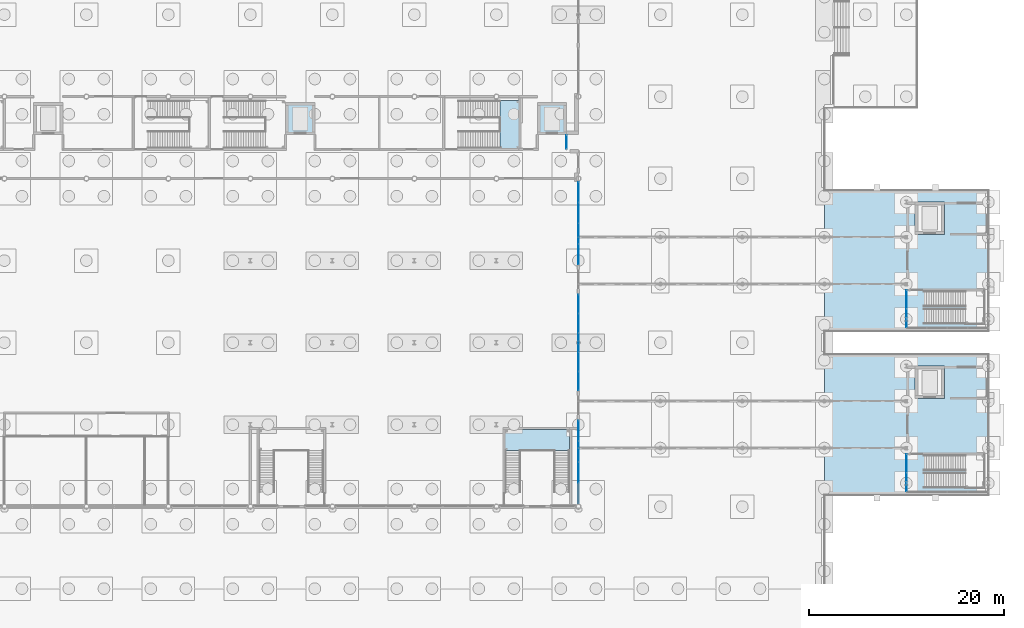
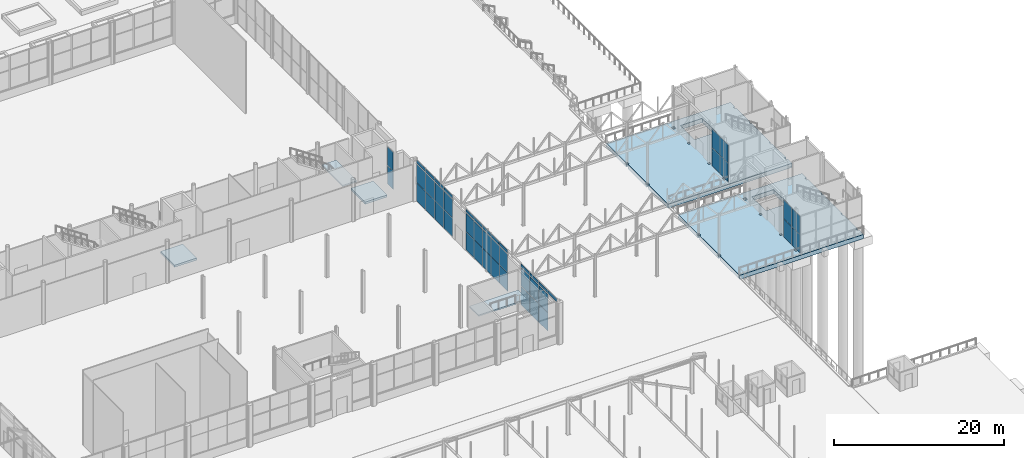
# One storey, part 174 of 212: 47 plates, 6 slabs, 11 elements without a shape of their own.
"""IFC4 building model written with IfcOpenShell, lengths in metres."""

from ifc_helpers import new_model, si_unit, direction, frame, origin, origin_2d, place, context, subcontext, project, spatial, polyline, rectangle, outline, extrude, material, layer, layer_set, type_object, element, aggregate, save


model = new_model("IFC4")

# Units and contexts
model_context = context("Model", 3, precision=1e-05, world=origin(), true_north=direction((0.0, 1.0)))
body_context = subcontext(model_context, "Body", "Model", "MODEL_VIEW")
ifc_project = project(units=[si_unit("LENGTHUNIT", "METRE"), si_unit("AREAUNIT", "SQUARE_METRE"), si_unit("VOLUMEUNIT", "CUBIC_METRE"), si_unit("PLANEANGLEUNIT", "RADIAN"), si_unit("MASSUNIT", "GRAM", prefix="KILO")], contexts=[model_context])

# Site, building, storey
site_placement = place(None, origin())
site = spatial("IfcSite", under=ifc_project, at=site_placement, CompositionType="ELEMENT")
building_placement = place(site_placement, origin())
building = spatial("IfcBuilding", under=site, at=building_placement, Name="Catenary Quay Ferry Terminal", CompositionType="ELEMENT")
storey_placement = place(building_placement, origin())
storey = spatial("IfcBuildingStorey", under=building, at=storey_placement, Name="L00", CompositionType="ELEMENT", Elevation=0.0)

# Slabs
ifc_material_1 = material(Name="Concrete C35/45", Category="concrete")
ifc_layer_1 = layer(ifc_material_1, 0.60009765625)
ifc_layer_set_1 = layer_set([ifc_layer_1], Name="Berth head slab 600")
slab_type_1 = type_object("IfcSlabType", Name="Berth head slab 600", PredefinedType="BASESLAB", material=ifc_layer_set_1)
slab_1_placement = place(storey_placement, frame((0.0, 0.0, -0.60009765625)))
element("IfcSlab", 1, at=slab_1_placement, inside=storey, type_object=slab_type_1, Name="Berth head 1 deck", PredefinedType="BASESLAB", context=body_context, shape_type="SweptSolid", body=[
    extrude(outline(polyline([(134.39990234375, 68.39990234375), (117.6298828125, 68.39990234375), (117.6298828125, 73.01220703125), (117.787841796875, 73.01220703125), (117.787841796875, 73.3876953125), (117.6298828125, 73.3876953125), (117.6298828125, 77.812255859375), (117.787841796875, 77.812255859375), (117.787841796875, 78.187744140625), (117.6298828125, 78.187744140625), (117.6298828125, 82.800048828125), (134.39990234375, 82.800048828125), (134.39990234375, 81.804931640625), (134.195068359375, 81.804931640625), (134.195068359375, 81.39501953125), (134.39990234375, 81.39501953125), (134.39990234375, 78.159912109375), (134.239990234375, 78.159912109375), (134.239990234375, 77.840087890625), (134.39990234375, 77.840087890625), (134.39990234375, 73.360107421875), (134.239990234375, 73.360107421875), (134.239990234375, 73.0400390625), (134.39990234375, 73.0400390625), (134.39990234375, 69.804931640625), (134.195068359375, 69.804931640625), (134.195068359375, 69.39501953125), (134.39990234375, 69.39501953125), (134.39990234375, 68.39990234375)]), holes=[polyline([(125.794921875, 69.804931640625), (125.794921875, 69.39501953125), (126.205078125, 69.39501953125), (126.205078125, 69.804931640625), (125.794921875, 69.804931640625)]), polyline([(126.159912109375, 73.360107421875), (125.840087890625, 73.360107421875), (125.840087890625, 73.0400390625), (126.159912109375, 73.0400390625), (126.159912109375, 73.360107421875)]), polyline([(126.159912109375, 78.159912109375), (125.840087890625, 78.159912109375), (125.840087890625, 77.840087890625), (126.159912109375, 77.840087890625), (126.159912109375, 78.159912109375)]), polyline([(126.205078125, 81.804931640625), (125.794921875, 81.804931640625), (125.794921875, 81.39501953125), (126.205078125, 81.39501953125), (126.205078125, 81.804931640625)]), polyline([(126.89990234375, 78.300048828125), (129.89990234375, 78.300048828125), (129.89990234375, 81.60009765625), (126.89990234375, 81.60009765625), (126.89990234375, 78.300048828125)])]), origin(), (0.0, 0.0, 1.0), 0.60009765625),
])
slab_2_placement = place(storey_placement, frame((0.0, 0.0, -0.60009765625)))
element("IfcSlab", 2, at=slab_2_placement, inside=storey, type_object=slab_type_1, Name="Berth head 2 deck", PredefinedType="BASESLAB", context=body_context, shape_type="SweptSolid", body=[
    extrude(outline(polyline([(134.39990234375, 85.199951171875), (117.6298828125, 85.199951171875), (117.6298828125, 89.812255859375), (117.787841796875, 89.812255859375), (117.787841796875, 90.187744140625), (117.6298828125, 90.187744140625), (117.6298828125, 94.6123046875), (117.787841796875, 94.6123046875), (117.787841796875, 94.98779296875), (117.6298828125, 94.98779296875), (117.6298828125, 99.60009765625), (134.39990234375, 99.60009765625), (134.39990234375, 98.60498046875), (134.195068359375, 98.60498046875), (134.195068359375, 98.195068359375), (134.39990234375, 98.195068359375), (134.39990234375, 94.9599609375), (134.239990234375, 94.9599609375), (134.239990234375, 94.639892578125), (134.39990234375, 94.639892578125), (134.39990234375, 90.159912109375), (134.239990234375, 90.159912109375), (134.239990234375, 89.840087890625), (134.39990234375, 89.840087890625), (134.39990234375, 86.60498046875), (134.195068359375, 86.60498046875), (134.195068359375, 86.195068359375), (134.39990234375, 86.195068359375), (134.39990234375, 85.199951171875)]), holes=[polyline([(125.794921875, 86.60498046875), (125.794921875, 86.195068359375), (126.205078125, 86.195068359375), (126.205078125, 86.60498046875), (125.794921875, 86.60498046875)]), polyline([(126.159912109375, 90.159912109375), (125.840087890625, 90.159912109375), (125.840087890625, 89.840087890625), (126.159912109375, 89.840087890625), (126.159912109375, 90.159912109375)]), polyline([(125.840087890625, 94.9599609375), (125.840087890625, 94.639892578125), (126.159912109375, 94.639892578125), (126.159912109375, 94.9599609375), (125.840087890625, 94.9599609375)]), polyline([(126.205078125, 98.60498046875), (125.794921875, 98.60498046875), (125.794921875, 98.195068359375), (126.205078125, 98.195068359375), (126.205078125, 98.60498046875)]), polyline([(126.89990234375, 95.10009765625), (129.89990234375, 95.10009765625), (129.89990234375, 98.39990234375), (126.89990234375, 98.39990234375), (126.89990234375, 95.10009765625)])]), origin(), (0.0, 0.0, 1.0), 0.60009765625),
])
ifc_material_2 = material(Name="Concrete C35/45", Category="concrete")
ifc_layer_2 = layer(ifc_material_2, 0.300048828125)
ifc_layer_set_2 = layer_set([ifc_layer_2], Name="Lift pit floor 300")
slab_type_2 = type_object("IfcSlabType", Name="Lift pit floor 300", PredefinedType="BASESLAB", material=ifc_layer_set_2)
slab_3_placement = place(storey_placement, frame((0.0, 0.0, -1.89990234375)))
element("IfcSlab", 3, at=slab_3_placement, inside=storey, type_object=slab_type_2, Name="Lift pit floor TL2", PredefinedType="BASESLAB", context=body_context, shape_type="SweptSolid", body=[
    extrude(outline(polyline([(65.39990234375, 105.300048828125), (65.39990234375, 108.60009765625), (62.39990234375, 108.60009765625), (62.39990234375, 105.300048828125), (65.39990234375, 105.300048828125)])), origin(), (0.0, 0.0, 1.0), 0.2998046875),
])
slab_4_placement = place(storey_placement, frame((0.0, 0.0, -1.89990234375)))
element("IfcSlab", 4, at=slab_4_placement, inside=storey, type_object=slab_type_2, Name="Lift pit floor TL3", PredefinedType="BASESLAB", context=body_context, shape_type="SweptSolid", body=[
    extrude(outline(polyline([(91.199951171875, 105.300048828125), (91.199951171875, 108.60009765625), (88.199951171875, 108.60009765625), (88.199951171875, 105.300048828125), (91.199951171875, 105.300048828125)])), origin(), (0.0, 0.0, 1.0), 0.2998046875),
])

# Curtain wall, plates
ifc_material_3 = material(Name="Aluminium and glass", Category="aluminium")
curtain_wall_type_1 = type_object("IfcCurtainWallType", Name="CWG", PredefinedType="NOTDEFINED", material=ifc_material_3)
curtain_wall_1_placement = place(storey_placement, origin())
curtain_wall_1 = element("IfcCurtainWall", 5, at=curtain_wall_1_placement, inside=storey, type_object=curtain_wall_type_1, Name="Gable arrivals hall curtain wall CW6", PredefinedType="NOTDEFINED")
ifc_material_4 = material(Name="Glass", Category="glass")
ifc_layer_3 = layer(ifc_material_4, 0.031982421875)
ifc_layer_set_3 = layer_set([ifc_layer_3], Name="PN1")
plate_type_1 = type_object("IfcPlateType", Name="PN1", PredefinedType="CURTAIN_PANEL", material=ifc_layer_set_3)
plate_1_placement = place(storey_placement, frame((92.39990234375, 70.706298828125, 0.06005859375), z_axis=(0.0, 0.0, 1.0), x_axis=(0.0, 1.0, 0.0)))
plate_1 = element("IfcPlate", 6, at=plate_1_placement, type_object=plate_type_1, Name="CW6 panel 2.1", PredefinedType="CURTAIN_PANEL", context=body_context, shape_type="SweptSolid", body=[
    extrude(rectangle(XDim=2.077392578125, YDim=0.031982421875, at=origin_2d()), origin(), (0.0, 0.0, 1.0), 2.610107421875),
])
plate_2_placement = place(storey_placement, frame((92.39990234375, 70.706298828125, 2.72998046875), z_axis=(0.0, 0.0, 1.0), x_axis=(0.0, 1.0, 0.0)))
plate_2 = element("IfcPlate", 7, at=plate_2_placement, type_object=plate_type_1, Name="CW6 panel 2.2", PredefinedType="CURTAIN_PANEL", context=body_context, shape_type="SweptSolid", body=[
    extrude(rectangle(XDim=2.077392578125, YDim=0.031982421875, at=origin_2d()), origin(), (0.0, 0.0, 1.0), 2.610107421875),
])
plate_3_placement = place(storey_placement, frame((92.39990234375, 72.84375, 0.06005859375), z_axis=(0.0, 0.0, 1.0), x_axis=(0.0, 1.0, 0.0)))
plate_3 = element("IfcPlate", 8, at=plate_3_placement, type_object=plate_type_1, Name="CW6 panel 3.1", PredefinedType="CURTAIN_PANEL", context=body_context, shape_type="SweptSolid", body=[
    extrude(rectangle(XDim=2.077392578125, YDim=0.031982421875, at=origin_2d()), origin(), (0.0, 0.0, 1.0), 2.610107421875),
])
plate_4_placement = place(storey_placement, frame((92.39990234375, 72.84375, 2.72998046875), z_axis=(0.0, 0.0, 1.0), x_axis=(0.0, 1.0, 0.0)))
plate_4 = element("IfcPlate", 9, at=plate_4_placement, type_object=plate_type_1, Name="CW6 panel 3.2", PredefinedType="CURTAIN_PANEL", context=body_context, shape_type="SweptSolid", body=[
    extrude(rectangle(XDim=2.077392578125, YDim=0.031982421875, at=origin_2d()), origin(), (0.0, 0.0, 1.0), 2.610107421875),
])
plate_5_placement = place(storey_placement, frame((92.39990234375, 74.96630859375, 0.06005859375), z_axis=(0.0, 0.0, 1.0), x_axis=(0.0, 1.0, 0.0)))
plate_5 = element("IfcPlate", 10, at=plate_5_placement, type_object=plate_type_1, Name="CW6 panel 4.1", PredefinedType="CURTAIN_PANEL", context=body_context, shape_type="SweptSolid", body=[
    extrude(rectangle(XDim=2.047607421875, YDim=0.031982421875, at=origin_2d()), origin(), (0.0, 0.0, 1.0), 2.610107421875),
])
plate_6_placement = place(storey_placement, frame((92.39990234375, 74.96630859375, 2.72998046875), z_axis=(0.0, 0.0, 1.0), x_axis=(0.0, 1.0, 0.0)))
plate_6 = element("IfcPlate", 11, at=plate_6_placement, type_object=plate_type_1, Name="CW6 panel 4.2", PredefinedType="CURTAIN_PANEL", context=body_context, shape_type="SweptSolid", body=[
    extrude(rectangle(XDim=2.047607421875, YDim=0.031982421875, at=origin_2d()), origin(), (0.0, 0.0, 1.0), 2.610107421875),
])
aggregate(curtain_wall_1, [plate_1, plate_2, plate_3, plate_4, plate_5, plate_6])

curtain_wall_2_placement = place(storey_placement, origin())
curtain_wall_2 = element("IfcCurtainWall", 12, at=curtain_wall_2_placement, inside=storey, type_object=curtain_wall_type_1, Name="Gable arrivals hall curtain wall CW7", PredefinedType="NOTDEFINED")
plate_7_placement = place(storey_placement, frame((92.39990234375, 80.054931640625, 0.06005859375), z_axis=(0.0, 0.0, 1.0), x_axis=(0.0, 1.0, 0.0)))
plate_7 = element("IfcPlate", 13, at=plate_7_placement, type_object=plate_type_1, Name="CW7 panel 1.1", PredefinedType="CURTAIN_PANEL", context=body_context, shape_type="SweptSolid", body=[
    extrude(rectangle(XDim=1.889892578125, YDim=0.031982421875, at=origin_2d()), origin(), (0.0, 0.0, 1.0), 2.610107421875),
])
plate_8_placement = place(storey_placement, frame((92.39990234375, 80.054931640625, 2.72998046875), z_axis=(0.0, 0.0, 1.0), x_axis=(0.0, 1.0, 0.0)))
plate_8 = element("IfcPlate", 14, at=plate_8_placement, type_object=plate_type_1, Name="CW7 panel 1.2", PredefinedType="CURTAIN_PANEL", context=body_context, shape_type="SweptSolid", body=[
    extrude(rectangle(XDim=1.889892578125, YDim=0.031982421875, at=origin_2d()), origin(), (0.0, 0.0, 1.0), 2.610107421875),
])
plate_9_placement = place(storey_placement, frame((92.39990234375, 82.02001953125, 0.06005859375), z_axis=(0.0, 0.0, 1.0), x_axis=(0.0, 1.0, 0.0)))
plate_9 = element("IfcPlate", 15, at=plate_9_placement, type_object=plate_type_1, Name="CW7 panel 2.1", PredefinedType="CURTAIN_PANEL", context=body_context, shape_type="SweptSolid", body=[
    extrude(rectangle(XDim=1.919921875, YDim=0.031982421875, at=origin_2d()), origin(), (0.0, 0.0, 1.0), 2.610107421875),
])
plate_10_placement = place(storey_placement, frame((92.39990234375, 82.02001953125, 2.72998046875), z_axis=(0.0, 0.0, 1.0), x_axis=(0.0, 1.0, 0.0)))
plate_10 = element("IfcPlate", 16, at=plate_10_placement, type_object=plate_type_1, Name="CW7 panel 2.2", PredefinedType="CURTAIN_PANEL", context=body_context, shape_type="SweptSolid", body=[
    extrude(rectangle(XDim=1.919921875, YDim=0.031982421875, at=origin_2d()), origin(), (0.0, 0.0, 1.0), 2.610107421875),
])
plate_11_placement = place(storey_placement, frame((92.39990234375, 84.0, 0.06005859375), z_axis=(0.0, 0.0, 1.0), x_axis=(0.0, 1.0, 0.0)))
plate_11 = element("IfcPlate", 17, at=plate_11_placement, type_object=plate_type_1, Name="CW7 panel 3.1", PredefinedType="CURTAIN_PANEL", context=body_context, shape_type="SweptSolid", body=[
    extrude(rectangle(XDim=1.919921875, YDim=0.031982421875, at=origin_2d()), origin(), (0.0, 0.0, 1.0), 2.610107421875),
])
plate_12_placement = place(storey_placement, frame((92.39990234375, 84.0, 2.72998046875), z_axis=(0.0, 0.0, 1.0), x_axis=(0.0, 1.0, 0.0)))
plate_12 = element("IfcPlate", 18, at=plate_12_placement, type_object=plate_type_1, Name="CW7 panel 3.2", PredefinedType="CURTAIN_PANEL", context=body_context, shape_type="SweptSolid", body=[
    extrude(rectangle(XDim=1.919921875, YDim=0.031982421875, at=origin_2d()), origin(), (0.0, 0.0, 1.0), 2.610107421875),
])
plate_13_placement = place(storey_placement, frame((92.39990234375, 85.97998046875, 0.06005859375), z_axis=(0.0, 0.0, 1.0), x_axis=(0.0, 1.0, 0.0)))
plate_13 = element("IfcPlate", 19, at=plate_13_placement, type_object=plate_type_1, Name="CW7 panel 4.1", PredefinedType="CURTAIN_PANEL", context=body_context, shape_type="SweptSolid", body=[
    extrude(rectangle(XDim=1.919921875, YDim=0.031982421875, at=origin_2d()), origin(), (0.0, 0.0, 1.0), 2.610107421875),
])
plate_14_placement = place(storey_placement, frame((92.39990234375, 85.97998046875, 2.72998046875), z_axis=(0.0, 0.0, 1.0), x_axis=(0.0, 1.0, 0.0)))
plate_14 = element("IfcPlate", 20, at=plate_14_placement, type_object=plate_type_1, Name="CW7 panel 4.2", PredefinedType="CURTAIN_PANEL", context=body_context, shape_type="SweptSolid", body=[
    extrude(rectangle(XDim=1.919921875, YDim=0.031982421875, at=origin_2d()), origin(), (0.0, 0.0, 1.0), 2.610107421875),
])
plate_15_placement = place(storey_placement, frame((92.39990234375, 87.945068359375, 0.06005859375), z_axis=(0.0, 0.0, 1.0), x_axis=(0.0, 1.0, 0.0)))
plate_15 = element("IfcPlate", 21, at=plate_15_placement, type_object=plate_type_1, Name="CW7 panel 5.1", PredefinedType="CURTAIN_PANEL", context=body_context, shape_type="SweptSolid", body=[
    extrude(rectangle(XDim=1.889892578125, YDim=0.031982421875, at=origin_2d()), origin(), (0.0, 0.0, 1.0), 2.610107421875),
])
plate_16_placement = place(storey_placement, frame((92.39990234375, 87.945068359375, 2.72998046875), z_axis=(0.0, 0.0, 1.0), x_axis=(0.0, 1.0, 0.0)))
plate_16 = element("IfcPlate", 22, at=plate_16_placement, type_object=plate_type_1, Name="CW7 panel 5.2", PredefinedType="CURTAIN_PANEL", context=body_context, shape_type="SweptSolid", body=[
    extrude(rectangle(XDim=1.889892578125, YDim=0.031982421875, at=origin_2d()), origin(), (0.0, 0.0, 1.0), 2.610107421875),
])
aggregate(curtain_wall_2, [plate_7, plate_8, plate_9, plate_10, plate_11, plate_12, plate_13, plate_14, plate_15, plate_16])

curtain_wall_3_placement = place(storey_placement, origin())
curtain_wall_3 = element("IfcCurtainWall", 23, at=curtain_wall_3_placement, inside=storey, type_object=curtain_wall_type_1, Name="Gable arrivals hall curtain wall CW8", PredefinedType="NOTDEFINED")
plate_17_placement = place(storey_placement, frame((92.39990234375, 93.03369140625, 0.06005859375), z_axis=(0.0, 0.0, 1.0), x_axis=(0.0, 1.0, 0.0)))
plate_17 = element("IfcPlate", 24, at=plate_17_placement, type_object=plate_type_1, Name="CW8 panel 1.1", PredefinedType="CURTAIN_PANEL", context=body_context, shape_type="SweptSolid", body=[
    extrude(rectangle(XDim=2.047607421875, YDim=0.031982421875, at=origin_2d()), origin(), (0.0, 0.0, 1.0), 2.610107421875),
])
plate_18_placement = place(storey_placement, frame((92.39990234375, 93.03369140625, 2.72998046875), z_axis=(0.0, 0.0, 1.0), x_axis=(0.0, 1.0, 0.0)))
plate_18 = element("IfcPlate", 25, at=plate_18_placement, type_object=plate_type_1, Name="CW8 panel 1.2", PredefinedType="CURTAIN_PANEL", context=body_context, shape_type="SweptSolid", body=[
    extrude(rectangle(XDim=2.047607421875, YDim=0.031982421875, at=origin_2d()), origin(), (0.0, 0.0, 1.0), 2.610107421875),
])
plate_19_placement = place(storey_placement, frame((92.39990234375, 95.15625, 0.06005859375), z_axis=(0.0, 0.0, 1.0), x_axis=(0.0, 1.0, 0.0)))
plate_19 = element("IfcPlate", 26, at=plate_19_placement, type_object=plate_type_1, Name="CW8 panel 2.1", PredefinedType="CURTAIN_PANEL", context=body_context, shape_type="SweptSolid", body=[
    extrude(rectangle(XDim=2.077392578125, YDim=0.031982421875, at=origin_2d()), origin(), (0.0, 0.0, 1.0), 2.610107421875),
])
plate_20_placement = place(storey_placement, frame((92.39990234375, 95.15625, 2.72998046875), z_axis=(0.0, 0.0, 1.0), x_axis=(0.0, 1.0, 0.0)))
plate_20 = element("IfcPlate", 27, at=plate_20_placement, type_object=plate_type_1, Name="CW8 panel 2.2", PredefinedType="CURTAIN_PANEL", context=body_context, shape_type="SweptSolid", body=[
    extrude(rectangle(XDim=2.077392578125, YDim=0.031982421875, at=origin_2d()), origin(), (0.0, 0.0, 1.0), 2.610107421875),
])
plate_21_placement = place(storey_placement, frame((92.39990234375, 97.293701171875, 0.06005859375), z_axis=(0.0, 0.0, 1.0), x_axis=(0.0, 1.0, 0.0)))
plate_21 = element("IfcPlate", 28, at=plate_21_placement, type_object=plate_type_1, Name="CW8 panel 3.1", PredefinedType="CURTAIN_PANEL", context=body_context, shape_type="SweptSolid", body=[
    extrude(rectangle(XDim=2.077392578125, YDim=0.031982421875, at=origin_2d()), origin(), (0.0, 0.0, 1.0), 2.610107421875),
])
plate_22_placement = place(storey_placement, frame((92.39990234375, 97.293701171875, 2.72998046875), z_axis=(0.0, 0.0, 1.0), x_axis=(0.0, 1.0, 0.0)))
plate_22 = element("IfcPlate", 29, at=plate_22_placement, type_object=plate_type_1, Name="CW8 panel 3.2", PredefinedType="CURTAIN_PANEL", context=body_context, shape_type="SweptSolid", body=[
    extrude(rectangle(XDim=2.077392578125, YDim=0.031982421875, at=origin_2d()), origin(), (0.0, 0.0, 1.0), 2.610107421875),
])
plate_23_placement = place(storey_placement, frame((92.39990234375, 99.416259765625, 0.06005859375), z_axis=(0.0, 0.0, 1.0), x_axis=(0.0, 1.0, 0.0)))
plate_23 = element("IfcPlate", 30, at=plate_23_placement, type_object=plate_type_1, Name="CW8 panel 4.1", PredefinedType="CURTAIN_PANEL", context=body_context, shape_type="SweptSolid", body=[
    extrude(rectangle(XDim=2.047607421875, YDim=0.031982421875, at=origin_2d()), origin(), (0.0, 0.0, 1.0), 2.610107421875),
])
plate_24_placement = place(storey_placement, frame((92.39990234375, 99.416259765625, 2.72998046875), z_axis=(0.0, 0.0, 1.0), x_axis=(0.0, 1.0, 0.0)))
plate_24 = element("IfcPlate", 31, at=plate_24_placement, type_object=plate_type_1, Name="CW8 panel 4.2", PredefinedType="CURTAIN_PANEL", context=body_context, shape_type="SweptSolid", body=[
    extrude(rectangle(XDim=2.047607421875, YDim=0.031982421875, at=origin_2d()), origin(), (0.0, 0.0, 1.0), 2.610107421875),
])
aggregate(curtain_wall_3, [plate_17, plate_18, plate_19, plate_20, plate_21, plate_22, plate_23, plate_24])

ifc_material_5 = material(Name="Aluminium and glass", Category="aluminium")
curtain_wall_type_2 = type_object("IfcCurtainWallType", Name="CWT", PredefinedType="NOTDEFINED", material=ifc_material_5)
curtain_wall_4_placement = place(storey_placement, origin())
curtain_wall_4 = element("IfcCurtainWall", 32, at=curtain_wall_4_placement, inside=storey, type_object=curtain_wall_type_2, Name="Spine corridor curtain wall CW72", PredefinedType="NOTDEFINED")
ifc_material_6 = material(Name="Glass", Category="glass")
ifc_layer_4 = layer(ifc_material_6, 0.0400390625)
ifc_layer_set_4 = layer_set([ifc_layer_4], Name="PN2")
plate_type_2 = type_object("IfcPlateType", Name="PN2", PredefinedType="CURTAIN_PANEL", material=ifc_layer_set_4)
plate_25_placement = place(storey_placement, frame((91.199951171875, 104.550048828125, 0.050048828125), z_axis=(0.0, 0.0, 1.0), x_axis=(0.0, 1.0, 0.0)))
plate_25 = element("IfcPlate", 33, at=plate_25_placement, type_object=plate_type_2, Name="CW72 panel 1.1", PredefinedType="CURTAIN_PANEL", context=body_context, shape_type="SweptSolid", body=[
    extrude(rectangle(XDim=1.3798828125, YDim=0.0400390625, at=origin_2d()), origin(), (0.0, 0.0, 1.0), 2.625),
])
plate_26_placement = place(storey_placement, frame((91.199951171875, 104.550048828125, 2.72509765625), z_axis=(0.0, 0.0, 1.0), x_axis=(0.0, 1.0, 0.0)))
plate_26 = element("IfcPlate", 34, at=plate_26_placement, type_object=plate_type_2, Name="CW72 panel 1.2", PredefinedType="CURTAIN_PANEL", context=body_context, shape_type="SweptSolid", body=[
    extrude(rectangle(XDim=1.3798828125, YDim=0.0400390625, at=origin_2d()), origin(), (0.0, 0.0, 1.0), 2.625),
])
aggregate(curtain_wall_4, [plate_25, plate_26])

ifc_material_7 = material(Name="Aluminium and glass", Category="aluminium")
curtain_wall_type_3 = type_object("IfcCurtainWallType", Name="CWK", PredefinedType="NOTDEFINED", material=ifc_material_7)
curtain_wall_5_placement = place(storey_placement, origin())
curtain_wall_5 = element("IfcCurtainWall", 35, at=curtain_wall_5_placement, inside=storey, type_object=curtain_wall_type_3, Name="Head berth 1 stair curtain wall CW78", PredefinedType="NOTDEFINED")
ifc_material_8 = material(Name="Glass", Category="glass")
ifc_layer_5 = layer(ifc_material_8, 0.02490234375)
ifc_layer_set_5 = layer_set([ifc_layer_5], Name="PN3")
plate_type_3 = type_object("IfcPlateType", Name="PN3", PredefinedType="CURTAIN_PANEL", material=ifc_layer_set_5)
plate_27_placement = place(storey_placement, frame((126.0, 69.6875, 0.050048828125), z_axis=(0.0, 0.0, 1.0), x_axis=(0.0, 1.0, 0.0)))
plate_27 = element("IfcPlate", 36, at=plate_27_placement, type_object=plate_type_3, Name="CW78 panel 1.1", PredefinedType="CURTAIN_PANEL", context=body_context, shape_type="SweptSolid", body=[
    extrude(rectangle(XDim=1.875, YDim=0.02490234375, at=origin_2d()), origin(), (0.0, 0.0, 1.0), 2.625),
])
plate_28_placement = place(storey_placement, frame((126.0, 69.6875, 2.72509765625), z_axis=(0.0, 0.0, 1.0), x_axis=(0.0, 1.0, 0.0)))
plate_28 = element("IfcPlate", 37, at=plate_28_placement, type_object=plate_type_3, Name="CW78 panel 1.2", PredefinedType="CURTAIN_PANEL", context=body_context, shape_type="SweptSolid", body=[
    extrude(rectangle(XDim=1.875, YDim=0.02490234375, at=origin_2d()), origin(), (0.0, 0.0, 1.0), 2.625),
])
plate_29_placement = place(storey_placement, frame((126.0, 71.612548828125, 0.050048828125), z_axis=(0.0, 0.0, 1.0), x_axis=(0.0, 1.0, 0.0)))
plate_29 = element("IfcPlate", 38, at=plate_29_placement, type_object=plate_type_3, Name="CW78 panel 2.1", PredefinedType="CURTAIN_PANEL", context=body_context, shape_type="SweptSolid", body=[
    extrude(rectangle(XDim=1.875, YDim=0.02490234375, at=origin_2d()), origin(), (0.0, 0.0, 1.0), 2.625),
])
plate_30_placement = place(storey_placement, frame((126.0, 71.612548828125, 2.72509765625), z_axis=(0.0, 0.0, 1.0), x_axis=(0.0, 1.0, 0.0)))
plate_30 = element("IfcPlate", 39, at=plate_30_placement, type_object=plate_type_3, Name="CW78 panel 2.2", PredefinedType="CURTAIN_PANEL", context=body_context, shape_type="SweptSolid", body=[
    extrude(rectangle(XDim=1.875, YDim=0.02490234375, at=origin_2d()), origin(), (0.0, 0.0, 1.0), 2.625),
])
aggregate(curtain_wall_5, [plate_27, plate_28, plate_29, plate_30])

curtain_wall_6_placement = place(storey_placement, origin())
curtain_wall_6 = element("IfcCurtainWall", 40, at=curtain_wall_6_placement, inside=storey, type_object=curtain_wall_type_3, Name="Head berth 2 stair curtain wall CW86", PredefinedType="NOTDEFINED")
plate_31_placement = place(storey_placement, frame((126.0, 86.487548828125, 0.050048828125), z_axis=(0.0, 0.0, 1.0), x_axis=(0.0, 1.0, 0.0)))
plate_31 = element("IfcPlate", 41, at=plate_31_placement, type_object=plate_type_3, Name="CW86 panel 1.1", PredefinedType="CURTAIN_PANEL", context=body_context, shape_type="SweptSolid", body=[
    extrude(rectangle(XDim=1.875, YDim=0.02490234375, at=origin_2d()), origin(), (0.0, 0.0, 1.0), 2.625),
])
plate_32_placement = place(storey_placement, frame((126.0, 86.487548828125, 2.72509765625), z_axis=(0.0, 0.0, 1.0), x_axis=(0.0, 1.0, 0.0)))
plate_32 = element("IfcPlate", 42, at=plate_32_placement, type_object=plate_type_3, Name="CW86 panel 1.2", PredefinedType="CURTAIN_PANEL", context=body_context, shape_type="SweptSolid", body=[
    extrude(rectangle(XDim=1.875, YDim=0.02490234375, at=origin_2d()), origin(), (0.0, 0.0, 1.0), 2.625),
])
plate_33_placement = place(storey_placement, frame((126.0, 88.41259765625, 0.050048828125), z_axis=(0.0, 0.0, 1.0), x_axis=(0.0, 1.0, 0.0)))
plate_33 = element("IfcPlate", 43, at=plate_33_placement, type_object=plate_type_3, Name="CW86 panel 2.1", PredefinedType="CURTAIN_PANEL", context=body_context, shape_type="SweptSolid", body=[
    extrude(rectangle(XDim=1.875, YDim=0.02490234375, at=origin_2d()), origin(), (0.0, 0.0, 1.0), 2.625),
])
plate_34_placement = place(storey_placement, frame((126.0, 88.41259765625, 2.72509765625), z_axis=(0.0, 0.0, 1.0), x_axis=(0.0, 1.0, 0.0)))
plate_34 = element("IfcPlate", 44, at=plate_34_placement, type_object=plate_type_3, Name="CW86 panel 2.2", PredefinedType="CURTAIN_PANEL", context=body_context, shape_type="SweptSolid", body=[
    extrude(rectangle(XDim=1.875, YDim=0.02490234375, at=origin_2d()), origin(), (0.0, 0.0, 1.0), 2.625),
])
aggregate(curtain_wall_6, [plate_31, plate_32, plate_33, plate_34])

ifc_material_9 = material(Name="Aluminium and glass", Category="aluminium")
curtain_wall_type_4 = type_object("IfcCurtainWallType", Name="CWQ", PredefinedType="NOTDEFINED", material=ifc_material_9)
curtain_wall_7_placement = place(storey_placement, origin())
curtain_wall_7 = element("IfcCurtainWall", 45, at=curtain_wall_7_placement, inside=storey, type_object=curtain_wall_type_4, Name="Gable band arrivals hall curtain wall CW170", PredefinedType="NOTDEFINED")
ifc_material_10 = material(Name="Ceramic tile facing on insulated backing")
ifc_layer_6 = layer(ifc_material_10, 0.050048828125)
ifc_layer_set_6 = layer_set([ifc_layer_6], Name="PN8")
plate_type_4 = type_object("IfcPlateType", Name="PN8", PredefinedType="CURTAIN_PANEL", material=ifc_layer_set_6)
plate_35_placement = place(storey_placement, frame((92.39990234375, 68.583740234375, 5.52001953125), z_axis=(0.0, 0.0, 1.0), x_axis=(0.0, 1.0, 0.0)))
plate_35 = element("IfcPlate", 46, at=plate_35_placement, type_object=plate_type_4, Name="CW170 panel 1.1", PredefinedType="CURTAIN_PANEL", context=body_context, shape_type="SweptSolid", body=[
    extrude(rectangle(XDim=2.047607421875, YDim=0.050048828125, at=origin_2d()), origin(), (0.0, 0.0, 1.0), 0.419921875),
])
plate_36_placement = place(storey_placement, frame((92.39990234375, 70.706298828125, 5.52001953125), z_axis=(0.0, 0.0, 1.0), x_axis=(0.0, 1.0, 0.0)))
plate_36 = element("IfcPlate", 47, at=plate_36_placement, type_object=plate_type_4, Name="CW170 panel 2.1", PredefinedType="CURTAIN_PANEL", context=body_context, shape_type="SweptSolid", body=[
    extrude(rectangle(XDim=2.077392578125, YDim=0.050048828125, at=origin_2d()), origin(), (0.0, 0.0, 1.0), 0.419921875),
])
plate_37_placement = place(storey_placement, frame((92.39990234375, 72.84375, 5.52001953125), z_axis=(0.0, 0.0, 1.0), x_axis=(0.0, 1.0, 0.0)))
plate_37 = element("IfcPlate", 48, at=plate_37_placement, type_object=plate_type_4, Name="CW170 panel 3.1", PredefinedType="CURTAIN_PANEL", context=body_context, shape_type="SweptSolid", body=[
    extrude(rectangle(XDim=2.077392578125, YDim=0.050048828125, at=origin_2d()), origin(), (0.0, 0.0, 1.0), 0.419921875),
])
plate_38_placement = place(storey_placement, frame((92.39990234375, 74.96630859375, 5.52001953125), z_axis=(0.0, 0.0, 1.0), x_axis=(0.0, 1.0, 0.0)))
plate_38 = element("IfcPlate", 49, at=plate_38_placement, type_object=plate_type_4, Name="CW170 panel 4.1", PredefinedType="CURTAIN_PANEL", context=body_context, shape_type="SweptSolid", body=[
    extrude(rectangle(XDim=2.047607421875, YDim=0.050048828125, at=origin_2d()), origin(), (0.0, 0.0, 1.0), 0.419921875),
])
aggregate(curtain_wall_7, [plate_35, plate_36, plate_37, plate_38])

curtain_wall_8_placement = place(storey_placement, origin())
curtain_wall_8 = element("IfcCurtainWall", 50, at=curtain_wall_8_placement, inside=storey, type_object=curtain_wall_type_4, Name="Gable band arrivals hall curtain wall CW171", PredefinedType="NOTDEFINED")
plate_39_placement = place(storey_placement, frame((92.39990234375, 80.054931640625, 5.52001953125), z_axis=(0.0, 0.0, 1.0), x_axis=(0.0, 1.0, 0.0)))
plate_39 = element("IfcPlate", 51, at=plate_39_placement, type_object=plate_type_4, Name="CW171 panel 1.1", PredefinedType="CURTAIN_PANEL", context=body_context, shape_type="SweptSolid", body=[
    extrude(rectangle(XDim=1.889892578125, YDim=0.050048828125, at=origin_2d()), origin(), (0.0, 0.0, 1.0), 0.419921875),
])
plate_40_placement = place(storey_placement, frame((92.39990234375, 82.02001953125, 5.52001953125), z_axis=(0.0, 0.0, 1.0), x_axis=(0.0, 1.0, 0.0)))
plate_40 = element("IfcPlate", 52, at=plate_40_placement, type_object=plate_type_4, Name="CW171 panel 2.1", PredefinedType="CURTAIN_PANEL", context=body_context, shape_type="SweptSolid", body=[
    extrude(rectangle(XDim=1.919921875, YDim=0.050048828125, at=origin_2d()), origin(), (0.0, 0.0, 1.0), 0.419921875),
])
plate_41_placement = place(storey_placement, frame((92.39990234375, 84.0, 5.52001953125), z_axis=(0.0, 0.0, 1.0), x_axis=(0.0, 1.0, 0.0)))
plate_41 = element("IfcPlate", 53, at=plate_41_placement, type_object=plate_type_4, Name="CW171 panel 3.1", PredefinedType="CURTAIN_PANEL", context=body_context, shape_type="SweptSolid", body=[
    extrude(rectangle(XDim=1.919921875, YDim=0.050048828125, at=origin_2d()), origin(), (0.0, 0.0, 1.0), 0.419921875),
])
plate_42_placement = place(storey_placement, frame((92.39990234375, 85.97998046875, 5.52001953125), z_axis=(0.0, 0.0, 1.0), x_axis=(0.0, 1.0, 0.0)))
plate_42 = element("IfcPlate", 54, at=plate_42_placement, type_object=plate_type_4, Name="CW171 panel 4.1", PredefinedType="CURTAIN_PANEL", context=body_context, shape_type="SweptSolid", body=[
    extrude(rectangle(XDim=1.919921875, YDim=0.050048828125, at=origin_2d()), origin(), (0.0, 0.0, 1.0), 0.419921875),
])
plate_43_placement = place(storey_placement, frame((92.39990234375, 87.945068359375, 5.52001953125), z_axis=(0.0, 0.0, 1.0), x_axis=(0.0, 1.0, 0.0)))
plate_43 = element("IfcPlate", 55, at=plate_43_placement, type_object=plate_type_4, Name="CW171 panel 5.1", PredefinedType="CURTAIN_PANEL", context=body_context, shape_type="SweptSolid", body=[
    extrude(rectangle(XDim=1.889892578125, YDim=0.050048828125, at=origin_2d()), origin(), (0.0, 0.0, 1.0), 0.419921875),
])
aggregate(curtain_wall_8, [plate_39, plate_40, plate_41, plate_42, plate_43])

curtain_wall_9_placement = place(storey_placement, origin())
curtain_wall_9 = element("IfcCurtainWall", 56, at=curtain_wall_9_placement, inside=storey, type_object=curtain_wall_type_4, Name="Gable band arrivals hall curtain wall CW172", PredefinedType="NOTDEFINED")
plate_44_placement = place(storey_placement, frame((92.39990234375, 93.03369140625, 5.52001953125), z_axis=(0.0, 0.0, 1.0), x_axis=(0.0, 1.0, 0.0)))
plate_44 = element("IfcPlate", 57, at=plate_44_placement, type_object=plate_type_4, Name="CW172 panel 1.1", PredefinedType="CURTAIN_PANEL", context=body_context, shape_type="SweptSolid", body=[
    extrude(rectangle(XDim=2.047607421875, YDim=0.050048828125, at=origin_2d()), origin(), (0.0, 0.0, 1.0), 0.419921875),
])
plate_45_placement = place(storey_placement, frame((92.39990234375, 95.15625, 5.52001953125), z_axis=(0.0, 0.0, 1.0), x_axis=(0.0, 1.0, 0.0)))
plate_45 = element("IfcPlate", 58, at=plate_45_placement, type_object=plate_type_4, Name="CW172 panel 2.1", PredefinedType="CURTAIN_PANEL", context=body_context, shape_type="SweptSolid", body=[
    extrude(rectangle(XDim=2.077392578125, YDim=0.050048828125, at=origin_2d()), origin(), (0.0, 0.0, 1.0), 0.419921875),
])
plate_46_placement = place(storey_placement, frame((92.39990234375, 97.293701171875, 5.52001953125), z_axis=(0.0, 0.0, 1.0), x_axis=(0.0, 1.0, 0.0)))
plate_46 = element("IfcPlate", 59, at=plate_46_placement, type_object=plate_type_4, Name="CW172 panel 3.1", PredefinedType="CURTAIN_PANEL", context=body_context, shape_type="SweptSolid", body=[
    extrude(rectangle(XDim=2.077392578125, YDim=0.050048828125, at=origin_2d()), origin(), (0.0, 0.0, 1.0), 0.419921875),
])
plate_47_placement = place(storey_placement, frame((92.39990234375, 99.416259765625, 5.52001953125), z_axis=(0.0, 0.0, 1.0), x_axis=(0.0, 1.0, 0.0)))
plate_47 = element("IfcPlate", 60, at=plate_47_placement, type_object=plate_type_4, Name="CW172 panel 4.1", PredefinedType="CURTAIN_PANEL", context=body_context, shape_type="SweptSolid", body=[
    extrude(rectangle(XDim=2.047607421875, YDim=0.050048828125, at=origin_2d()), origin(), (0.0, 0.0, 1.0), 0.419921875),
])
aggregate(curtain_wall_9, [plate_44, plate_45, plate_46, plate_47])

# Stair, slab
ifc_material_11 = material(Name="Concrete C35/45", Category="concrete")
stair_type_1 = type_object("IfcStairType", Name="STX1600", PredefinedType="HALF_TURN_STAIR", material=ifc_material_11)
stair_1_placement = place(storey_placement, origin())
stair_1 = element("IfcStair", 61, at=stair_1_placement, inside=storey, type_object=stair_type_1, Name="Stair TS5 L00 to L01", PredefinedType="HALF_TURN_STAIR")
ifc_material_12 = material(Name="Concrete C35/45", Category="concrete")
ifc_layer_7 = layer(ifc_material_12, 0.199951171875)
ifc_layer_set_7 = layer_set([ifc_layer_7], Name="SLX1600")
slab_type_3 = type_object("IfcSlabType", Name="SLX1600", PredefinedType="LANDING", material=ifc_layer_set_7)
slab_5_placement = place(storey_placement, frame((0.0, 0.0, 2.800048828125)))
slab_5 = element("IfcSlab", 62, at=slab_5_placement, type_object=slab_type_3, Name="TS5-L00 landing 1", PredefinedType="LANDING", context=body_context, shape_type="SweptSolid", body=[
    extrude(outline(polyline([(84.89990234375, 72.949951171875), (91.5, 72.949951171875), (91.5, 75.10009765625), (84.89990234375, 75.10009765625), (84.89990234375, 72.949951171875)])), origin(), (0.0, 0.0, 1.0), 0.199951171875),
])
aggregate(stair_1, [slab_5])

ifc_material_13 = material(Name="Concrete C35/45", Category="concrete")
stair_type_2 = type_object("IfcStairType", Name="STX1800", PredefinedType="HALF_TURN_STAIR", material=ifc_material_13)
stair_2_placement = place(storey_placement, origin())
stair_2 = element("IfcStair", 63, at=stair_2_placement, inside=storey, type_object=stair_type_2, Name="Stair TS3 L00 to L01", PredefinedType="HALF_TURN_STAIR")
ifc_material_14 = material(Name="Concrete C35/45", Category="concrete")
ifc_layer_8 = layer(ifc_material_14, 0.199951171875)
ifc_layer_set_8 = layer_set([ifc_layer_8], Name="SLX1800")
slab_type_4 = type_object("IfcSlabType", Name="SLX1800", PredefinedType="LANDING", material=ifc_layer_set_8)
slab_6_placement = place(storey_placement, frame((0.0, 0.0, 2.800048828125)))
slab_6 = element("IfcSlab", 64, at=slab_6_placement, type_object=slab_type_4, Name="TS3-L00 landing 1", PredefinedType="LANDING", context=body_context, shape_type="SweptSolid", body=[
    extrude(outline(polyline([(84.35009765625, 103.89990234375), (86.300048828125, 103.89990234375), (86.300048828125, 108.800048828125), (84.35009765625, 108.800048828125), (84.35009765625, 103.89990234375)])), origin(), (0.0, 0.0, 1.0), 0.199951171875),
])
aggregate(stair_2, [slab_6])

save(model, "model.ifc")
